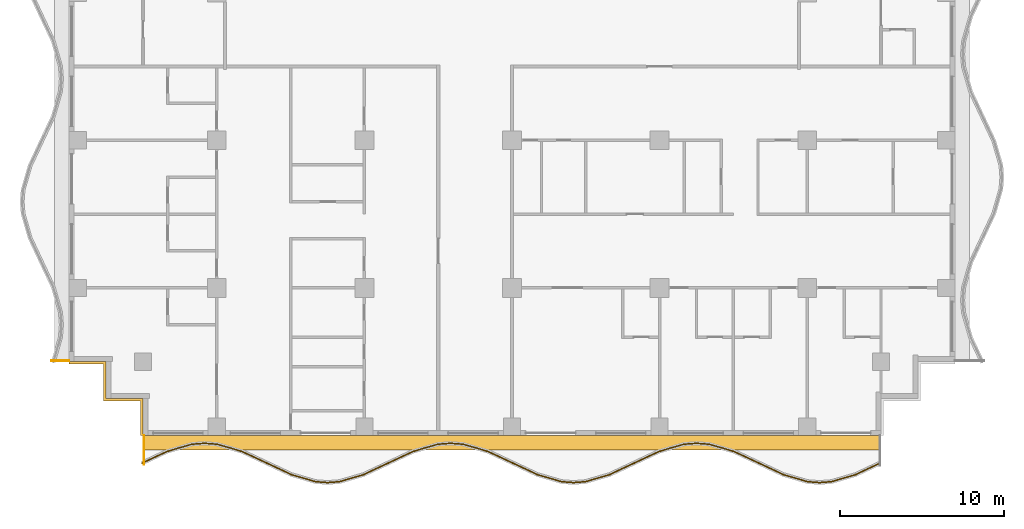
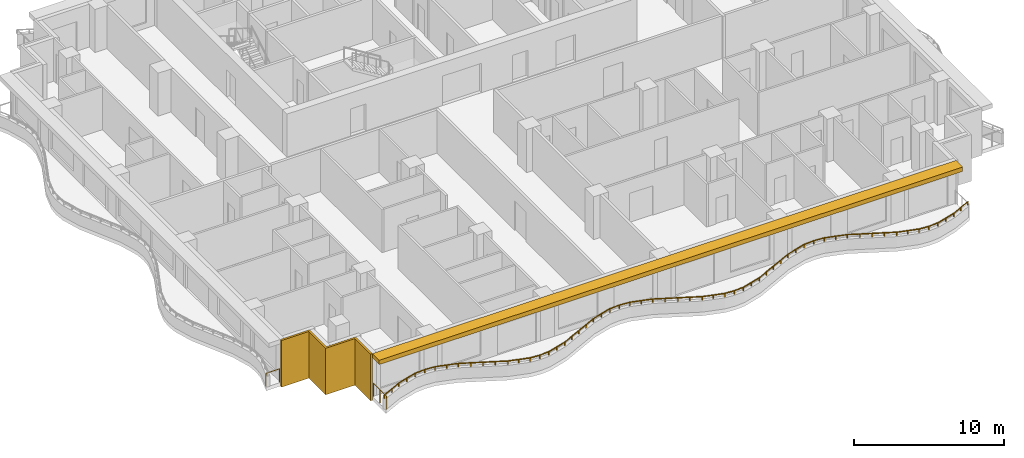
# One storey, part 8 of 11: 3 railings, 2 shading devices.
"""IFC4 building model written with IfcOpenShell, lengths in metres."""

from ifc_helpers import new_model, si_unit, direction, frame, origin, origin_2d, place, context, subcontext, project, spatial, polyline, rectangle, outline, extrude, material, layer, layer_set, type_object, element, save


model = new_model("IFC4")

# Units and contexts
model_context = context("Model", 3, precision=1e-05, world=origin(), true_north=direction((0.0, 1.0)))
body_context = subcontext(model_context, "Body", "Model", "MODEL_VIEW")
ifc_project = project(units=[si_unit("LENGTHUNIT", "METRE"), si_unit("AREAUNIT", "SQUARE_METRE"), si_unit("VOLUMEUNIT", "CUBIC_METRE"), si_unit("PLANEANGLEUNIT", "RADIAN"), si_unit("MASSUNIT", "GRAM", prefix="KILO")], contexts=[model_context])

# Site, building, storey
site_placement = place(None, origin())
site = spatial("IfcSite", under=ifc_project, at=site_placement, CompositionType="ELEMENT")
building_placement = place(site_placement, origin())
building = spatial("IfcBuilding", under=site, at=building_placement, Name="Orbiselva Terraces", CompositionType="ELEMENT")
storey_placement = place(building_placement, frame((0.0, 0.0, 195.8)))
storey = spatial("IfcBuildingStorey", under=building, at=storey_placement, Name="L49", CompositionType="ELEMENT", Elevation=195.8)

# Railings
ifc_material_1 = material(Name="Bonded two-ply safety glass balustrade, stainless steel posts", Category="steel")
railing_type_1 = type_object("IfcRailingType", Name="ENV-BALUSTRADE-1200", PredefinedType="BALUSTRADE", material=ifc_material_1)
railing_1_placement = place(storey_placement, frame((-22.553191, -24.186882, 0.9)))
element("IfcRailing", 1, at=railing_1_placement, inside=storey, type_object=railing_type_1, Name="Balcony balustrade L49 S", PredefinedType="BALUSTRADE", context=body_context, shape_type="SweptSolid", body=[
    extrude(outline(polyline([(0.028868, 0.0), (0.014434, 0.025), (-0.014434, 0.025), (-0.028868, 0.0), (-0.014434, -0.025), (0.014434, -0.025), (0.028868, 0.0)])), frame((0.0, 0.0, 0.275), z_axis=(0.904944157382, 0.425530342069, 0.0), x_axis=(-0.425530342069, 0.904944157382, 0.0)), (0.0, 0.0, 1.0), 1.667376),
    extrude(outline(polyline([(0.028868, 0.0), (0.014434, 0.025), (-0.014434, 0.025), (-0.028868, 0.0), (-0.014434, -0.025), (0.014434, -0.025), (0.028868, 0.0)])), frame((1.508882, 0.709519, 0.275), z_axis=(0.960270491427, 0.279070928786, 0.0), x_axis=(-0.279070928786, 0.960270491427, 0.0)), (0.0, 0.0, 1.0), 1.584712),
    extrude(outline(polyline([(0.028868, 0.0), (0.014434, 0.025), (-0.014434, 0.025), (-0.028868, 0.0), (-0.014434, -0.025), (0.014434, -0.025), (0.028868, 0.0)])), frame((3.030634, 1.151766, 0.275), z_axis=(0.996947796737, 0.078071061106, 0.0), x_axis=(-0.078071061106, 0.996947796737, 0.0)), (0.0, 0.0, 1.0), 0.774922),
    extrude(outline(polyline([(0.028868, 0.0), (0.014434, 0.025), (-0.014434, 0.025), (-0.028868, 0.0), (-0.014434, -0.025), (0.014434, -0.025), (0.028868, 0.0)])), frame((3.803191, 1.212265, 0.275), z_axis=(0.996947796737, -0.078071061106, 0.0), x_axis=(0.078071061106, 0.996947796737, 0.0)), (0.0, 0.0, 1.0), 0.774922),
    extrude(outline(polyline([(0.028868, 0.0), (0.014434, 0.025), (-0.014434, 0.025), (-0.028868, 0.0), (-0.014434, -0.025), (0.014434, -0.025), (0.028868, 0.0)])), frame((4.575748, 1.151766, 0.275), z_axis=(0.960270491427, -0.279070928786, 0.0), x_axis=(0.279070928786, 0.960270491427, 0.0)), (0.0, 0.0, 1.0), 1.584712),
    extrude(outline(polyline([(0.028868, 0.0), (0.014434, 0.025), (-0.014434, 0.025), (-0.028868, 0.0), (-0.014434, -0.025), (0.014434, -0.025), (0.028868, 0.0)])), frame((6.0975, 0.709519, 0.275), z_axis=(0.904944157382, -0.425530342069, 0.0), x_axis=(0.425530342069, 0.904944157382, 0.0)), (0.0, 0.0, 1.0), 1.667376),
    extrude(outline(polyline([(0.028868, 0.0), (0.014434, 0.025), (-0.014434, 0.025), (-0.028868, 0.0), (-0.014434, -0.025), (0.014434, -0.025), (0.028868, 0.0)])), frame((7.606382, 0.0, 0.275), z_axis=(0.904944359461, -0.425529912322, 0.0), x_axis=(0.425529912322, 0.904944359461, 0.0)), (0.0, 0.0, 1.0), 1.647746),
    extrude(outline(polyline([(0.028868, 0.0), (0.014434, 0.025), (-0.014434, 0.025), (-0.028868, 0.0), (-0.014434, -0.025), (0.014434, -0.025), (0.028868, 0.0)])), frame((9.0975, -0.701165, 0.275), z_axis=(0.960270317007, -0.279071528957, 0.0), x_axis=(0.279071528957, 0.960270317007, 0.0)), (0.0, 0.0, 1.0), 1.539408),
    extrude(outline(polyline([(0.028868, 0.0), (0.014434, 0.025), (-0.014434, 0.025), (-0.028868, 0.0), (-0.014434, -0.025), (0.014434, -0.025), (0.028868, 0.0)])), frame((10.575748, -1.13077, 0.275), z_axis=(0.996947916106, -0.078069536776, 0.0), x_axis=(0.078069536776, 0.996947916106, 0.0)), (0.0, 0.0, 1.0), 0.72967),
    extrude(outline(polyline([(0.028868, 0.0), (0.014434, 0.025), (-0.014434, 0.025), (-0.028868, 0.0), (-0.014434, -0.025), (0.014434, -0.025), (0.028868, 0.0)])), frame((11.303191, -1.187735, 0.275), z_axis=(0.996947916106, 0.078069536776, 0.0), x_axis=(-0.078069536776, 0.996947916106, 0.0)), (0.0, 0.0, 1.0), 0.72967),
    extrude(outline(polyline([(0.028868, 0.0), (0.014434, 0.025), (-0.014434, 0.025), (-0.028868, 0.0), (-0.014434, -0.025), (0.014434, -0.025), (0.028868, 0.0)])), frame((12.030634, -1.13077, 0.275), z_axis=(0.960270317007, 0.279071528957, 0.0), x_axis=(-0.279071528957, 0.960270317007, 0.0)), (0.0, 0.0, 1.0), 1.539408),
    extrude(outline(polyline([(0.028868, 0.0), (0.014434, 0.025), (-0.014434, 0.025), (-0.028868, 0.0), (-0.014434, -0.025), (0.014434, -0.025), (0.028868, 0.0)])), frame((13.508882, -0.701165, 0.275), z_axis=(0.904944359461, 0.425529912322, 0.0), x_axis=(-0.425529912322, 0.904944359461, 0.0)), (0.0, 0.0, 1.0), 1.647746),
    extrude(outline(polyline([(0.028868, 0.0), (0.014434, 0.025), (-0.014434, 0.025), (-0.028868, 0.0), (-0.014434, -0.025), (0.014434, -0.025), (0.028868, 0.0)])), frame((15.0, 0.0, 0.275), z_axis=(0.904944157382, 0.425530342069, 0.0), x_axis=(-0.425530342069, 0.904944157382, 0.0)), (0.0, 0.0, 1.0), 1.667376),
    extrude(outline(polyline([(0.028868, 0.0), (0.014434, 0.025), (-0.014434, 0.025), (-0.028868, 0.0), (-0.014434, -0.025), (0.014434, -0.025), (0.028868, 0.0)])), frame((16.508882, 0.709519, 0.275), z_axis=(0.960270491427, 0.279070928786, 0.0), x_axis=(-0.279070928786, 0.960270491427, 0.0)), (0.0, 0.0, 1.0), 1.584712),
    extrude(outline(polyline([(0.028868, 0.0), (0.014434, 0.025), (-0.014434, 0.025), (-0.028868, 0.0), (-0.014434, -0.025), (0.014434, -0.025), (0.028868, 0.0)])), frame((18.030634, 1.151766, 0.275), z_axis=(0.996947796737, 0.078071061106, 0.0), x_axis=(-0.078071061106, 0.996947796737, 0.0)), (0.0, 0.0, 1.0), 0.774922),
    extrude(outline(polyline([(0.028868, 0.0), (0.014434, 0.025), (-0.014434, 0.025), (-0.028868, 0.0), (-0.014434, -0.025), (0.014434, -0.025), (0.028868, 0.0)])), frame((18.803191, 1.212265, 0.275), z_axis=(0.996947796737, -0.078071061106, 0.0), x_axis=(0.078071061106, 0.996947796737, 0.0)), (0.0, 0.0, 1.0), 0.774922),
    extrude(outline(polyline([(0.028868, 0.0), (0.014434, 0.025), (-0.014434, 0.025), (-0.028868, 0.0), (-0.014434, -0.025), (0.014434, -0.025), (0.028868, 0.0)])), frame((19.575748, 1.151766, 0.275), z_axis=(0.960270491427, -0.279070928786, 0.0), x_axis=(0.279070928786, 0.960270491427, 0.0)), (0.0, 0.0, 1.0), 1.584712),
    extrude(outline(polyline([(0.028868, 0.0), (0.014434, 0.025), (-0.014434, 0.025), (-0.028868, 0.0), (-0.014434, -0.025), (0.014434, -0.025), (0.028868, 0.0)])), frame((21.0975, 0.709519, 0.275), z_axis=(0.904944157382, -0.425530342069, 0.0), x_axis=(0.425530342069, 0.904944157382, 0.0)), (0.0, 0.0, 1.0), 1.667376),
    extrude(outline(polyline([(0.028868, 0.0), (0.014434, 0.025), (-0.014434, 0.025), (-0.028868, 0.0), (-0.014434, -0.025), (0.014434, -0.025), (0.028868, 0.0)])), frame((22.606382, 0.0, 0.275), z_axis=(0.904944359461, -0.425529912322, 0.0), x_axis=(0.425529912322, 0.904944359461, 0.0)), (0.0, 0.0, 1.0), 1.647746),
    extrude(outline(polyline([(0.028868, 0.0), (0.014434, 0.025), (-0.014434, 0.025), (-0.028868, 0.0), (-0.014434, -0.025), (0.014434, -0.025), (0.028868, 0.0)])), frame((24.0975, -0.701165, 0.275), z_axis=(0.960270317007, -0.279071528957, 0.0), x_axis=(0.279071528957, 0.960270317007, 0.0)), (0.0, 0.0, 1.0), 1.539408),
    extrude(outline(polyline([(0.028868, 0.0), (0.014434, 0.025), (-0.014434, 0.025), (-0.028868, 0.0), (-0.014434, -0.025), (0.014434, -0.025), (0.028868, 0.0)])), frame((25.575748, -1.13077, 0.275), z_axis=(0.996947916106, -0.078069536776, 0.0), x_axis=(0.078069536776, 0.996947916106, 0.0)), (0.0, 0.0, 1.0), 0.72967),
    extrude(outline(polyline([(0.028868, 0.0), (0.014434, 0.025), (-0.014434, 0.025), (-0.028868, 0.0), (-0.014434, -0.025), (0.014434, -0.025), (0.028868, 0.0)])), frame((26.303191, -1.187735, 0.275), z_axis=(0.996947916106, 0.078069536776, 0.0), x_axis=(-0.078069536776, 0.996947916106, 0.0)), (0.0, 0.0, 1.0), 0.72967),
    extrude(outline(polyline([(0.028868, 0.0), (0.014434, 0.025), (-0.014434, 0.025), (-0.028868, 0.0), (-0.014434, -0.025), (0.014434, -0.025), (0.028868, 0.0)])), frame((27.030634, -1.13077, 0.275), z_axis=(0.960270317007, 0.279071528957, 0.0), x_axis=(-0.279071528957, 0.960270317007, 0.0)), (0.0, 0.0, 1.0), 1.539408),
    extrude(outline(polyline([(0.028868, 0.0), (0.014434, 0.025), (-0.014434, 0.025), (-0.028868, 0.0), (-0.014434, -0.025), (0.014434, -0.025), (0.028868, 0.0)])), frame((28.508882, -0.701165, 0.275), z_axis=(0.904944359461, 0.425529912322, 0.0), x_axis=(-0.425529912322, 0.904944359461, 0.0)), (0.0, 0.0, 1.0), 1.647746),
    extrude(outline(polyline([(0.028868, 0.0), (0.014434, 0.025), (-0.014434, 0.025), (-0.028868, 0.0), (-0.014434, -0.025), (0.014434, -0.025), (0.028868, 0.0)])), frame((30.0, 0.0, 0.275), z_axis=(0.904944157382, 0.425530342069, 0.0), x_axis=(-0.425530342069, 0.904944157382, 0.0)), (0.0, 0.0, 1.0), 1.667376),
    extrude(outline(polyline([(0.028868, 0.0), (0.014434, 0.025), (-0.014434, 0.025), (-0.028868, 0.0), (-0.014434, -0.025), (0.014434, -0.025), (0.028868, 0.0)])), frame((31.508882, 0.709519, 0.275), z_axis=(0.960270491427, 0.279070928786, 0.0), x_axis=(-0.279070928786, 0.960270491427, 0.0)), (0.0, 0.0, 1.0), 1.584712),
    extrude(outline(polyline([(0.028868, 0.0), (0.014434, 0.025), (-0.014434, 0.025), (-0.028868, 0.0), (-0.014434, -0.025), (0.014434, -0.025), (0.028868, 0.0)])), frame((33.030634, 1.151766, 0.275), z_axis=(0.996947796737, 0.078071061106, 0.0), x_axis=(-0.078071061106, 0.996947796737, 0.0)), (0.0, 0.0, 1.0), 0.774922),
    extrude(outline(polyline([(0.028868, 0.0), (0.014434, 0.025), (-0.014434, 0.025), (-0.028868, 0.0), (-0.014434, -0.025), (0.014434, -0.025), (0.028868, 0.0)])), frame((33.803191, 1.212265, 0.275), z_axis=(0.996947796737, -0.078071061106, 0.0), x_axis=(0.078071061106, 0.996947796737, 0.0)), (0.0, 0.0, 1.0), 0.774922),
    extrude(outline(polyline([(0.028868, 0.0), (0.014434, 0.025), (-0.014434, 0.025), (-0.028868, 0.0), (-0.014434, -0.025), (0.014434, -0.025), (0.028868, 0.0)])), frame((34.575748, 1.151766, 0.275), z_axis=(0.960270491427, -0.279070928786, 0.0), x_axis=(0.279070928786, 0.960270491427, 0.0)), (0.0, 0.0, 1.0), 1.584712),
    extrude(outline(polyline([(0.028868, 0.0), (0.014434, 0.025), (-0.014434, 0.025), (-0.028868, 0.0), (-0.014434, -0.025), (0.014434, -0.025), (0.028868, 0.0)])), frame((36.0975, 0.709519, 0.275), z_axis=(0.904944157382, -0.425530342069, 0.0), x_axis=(0.425530342069, 0.904944157382, 0.0)), (0.0, 0.0, 1.0), 1.667376),
    extrude(outline(polyline([(0.028868, 0.0), (0.014434, 0.025), (-0.014434, 0.025), (-0.028868, 0.0), (-0.014434, -0.025), (0.014434, -0.025), (0.028868, 0.0)])), frame((37.606382, 0.0, 0.275), z_axis=(0.904944359461, -0.425529912322, 0.0), x_axis=(0.425529912322, 0.904944359461, 0.0)), (0.0, 0.0, 1.0), 1.647746),
    extrude(outline(polyline([(0.028868, 0.0), (0.014434, 0.025), (-0.014434, 0.025), (-0.028868, 0.0), (-0.014434, -0.025), (0.014434, -0.025), (0.028868, 0.0)])), frame((39.0975, -0.701165, 0.275), z_axis=(0.960270317007, -0.279071528957, 0.0), x_axis=(0.279071528957, 0.960270317007, 0.0)), (0.0, 0.0, 1.0), 1.539408),
    extrude(outline(polyline([(0.028868, 0.0), (0.014434, 0.025), (-0.014434, 0.025), (-0.028868, 0.0), (-0.014434, -0.025), (0.014434, -0.025), (0.028868, 0.0)])), frame((40.575748, -1.13077, 0.275), z_axis=(0.996947916106, -0.078069536776, 0.0), x_axis=(0.078069536776, 0.996947916106, 0.0)), (0.0, 0.0, 1.0), 0.72967),
    extrude(outline(polyline([(0.028868, 0.0), (0.014434, 0.025), (-0.014434, 0.025), (-0.028868, 0.0), (-0.014434, -0.025), (0.014434, -0.025), (0.028868, 0.0)])), frame((41.303191, -1.187735, 0.275), z_axis=(0.996947916106, 0.078069536776, 0.0), x_axis=(-0.078069536776, 0.996947916106, 0.0)), (0.0, 0.0, 1.0), 0.72967),
    extrude(outline(polyline([(0.028868, 0.0), (0.014434, 0.025), (-0.014434, 0.025), (-0.028868, 0.0), (-0.014434, -0.025), (0.014434, -0.025), (0.028868, 0.0)])), frame((42.030634, -1.13077, 0.275), z_axis=(0.960270317007, 0.279071528957, 0.0), x_axis=(-0.279071528957, 0.960270317007, 0.0)), (0.0, 0.0, 1.0), 1.539408),
    extrude(outline(polyline([(0.028868, 0.0), (0.014434, 0.025), (-0.014434, 0.025), (-0.028868, 0.0), (-0.014434, -0.025), (0.014434, -0.025), (0.028868, 0.0)])), frame((43.508882, -0.701165, 0.275), z_axis=(0.904944359461, 0.425529912322, 0.0), x_axis=(-0.425529912322, 0.904944359461, 0.0)), (0.0, 0.0, 1.0), 1.647746),
    extrude(rectangle(XDim=0.05, YDim=0.05, at=origin_2d()), origin(), (0.0, 0.0, 1.0), 0.25),
    extrude(rectangle(XDim=0.05, YDim=0.05, at=origin_2d()), frame((0.754441, 0.35476, 0.0)), (0.0, 0.0, 1.0), 0.25),
    extrude(rectangle(XDim=0.05, YDim=0.05, at=origin_2d()), frame((1.508882, 0.709519, 0.0)), (0.0, 0.0, 1.0), 0.25),
    extrude(rectangle(XDim=0.05, YDim=0.05, at=origin_2d()), frame((2.269758, 0.930643, 0.0)), (0.0, 0.0, 1.0), 0.25),
    extrude(rectangle(XDim=0.05, YDim=0.05, at=origin_2d()), frame((3.030634, 1.151766, 0.0)), (0.0, 0.0, 1.0), 0.25),
    extrude(rectangle(XDim=0.05, YDim=0.05, at=origin_2d()), frame((3.803191, 1.212265, 0.0)), (0.0, 0.0, 1.0), 0.25),
    extrude(rectangle(XDim=0.05, YDim=0.05, at=origin_2d()), frame((4.575748, 1.151766, 0.0)), (0.0, 0.0, 1.0), 0.25),
    extrude(rectangle(XDim=0.05, YDim=0.05, at=origin_2d()), frame((5.336624, 0.930643, 0.0)), (0.0, 0.0, 1.0), 0.25),
    extrude(rectangle(XDim=0.05, YDim=0.05, at=origin_2d()), frame((6.0975, 0.709519, 0.0)), (0.0, 0.0, 1.0), 0.25),
    extrude(rectangle(XDim=0.05, YDim=0.05, at=origin_2d()), frame((6.851941, 0.35476, 0.0)), (0.0, 0.0, 1.0), 0.25),
    extrude(rectangle(XDim=0.05, YDim=0.05, at=origin_2d()), frame((7.606382, 0.0, 0.0)), (0.0, 0.0, 1.0), 0.25),
    extrude(rectangle(XDim=0.05, YDim=0.05, at=origin_2d()), frame((8.351941, -0.350582, 0.0)), (0.0, 0.0, 1.0), 0.25),
    extrude(rectangle(XDim=0.05, YDim=0.05, at=origin_2d()), frame((9.0975, -0.701165, 0.0)), (0.0, 0.0, 1.0), 0.25),
    extrude(rectangle(XDim=0.05, YDim=0.05, at=origin_2d()), frame((9.836624, -0.915967, 0.0)), (0.0, 0.0, 1.0), 0.25),
    extrude(rectangle(XDim=0.05, YDim=0.05, at=origin_2d()), frame((10.575748, -1.13077, 0.0)), (0.0, 0.0, 1.0), 0.25),
    extrude(rectangle(XDim=0.05, YDim=0.05, at=origin_2d()), frame((11.303191, -1.187735, 0.0)), (0.0, 0.0, 1.0), 0.25),
    extrude(rectangle(XDim=0.05, YDim=0.05, at=origin_2d()), frame((12.030634, -1.13077, 0.0)), (0.0, 0.0, 1.0), 0.25),
    extrude(rectangle(XDim=0.05, YDim=0.05, at=origin_2d()), frame((12.769758, -0.915967, 0.0)), (0.0, 0.0, 1.0), 0.25),
    extrude(rectangle(XDim=0.05, YDim=0.05, at=origin_2d()), frame((13.508882, -0.701165, 0.0)), (0.0, 0.0, 1.0), 0.25),
    extrude(rectangle(XDim=0.05, YDim=0.05, at=origin_2d()), frame((14.254441, -0.350582, 0.0)), (0.0, 0.0, 1.0), 0.25),
    extrude(rectangle(XDim=0.05, YDim=0.05, at=origin_2d()), frame((15.0, 0.0, 0.0)), (0.0, 0.0, 1.0), 0.25),
    extrude(rectangle(XDim=0.05, YDim=0.05, at=origin_2d()), frame((15.754441, 0.35476, 0.0)), (0.0, 0.0, 1.0), 0.25),
    extrude(rectangle(XDim=0.05, YDim=0.05, at=origin_2d()), frame((16.508882, 0.709519, 0.0)), (0.0, 0.0, 1.0), 0.25),
    extrude(rectangle(XDim=0.05, YDim=0.05, at=origin_2d()), frame((17.269758, 0.930643, 0.0)), (0.0, 0.0, 1.0), 0.25),
    extrude(rectangle(XDim=0.05, YDim=0.05, at=origin_2d()), frame((18.030634, 1.151766, 0.0)), (0.0, 0.0, 1.0), 0.25),
    extrude(rectangle(XDim=0.05, YDim=0.05, at=origin_2d()), frame((18.803191, 1.212265, 0.0)), (0.0, 0.0, 1.0), 0.25),
    extrude(rectangle(XDim=0.05, YDim=0.05, at=origin_2d()), frame((19.575748, 1.151766, 0.0)), (0.0, 0.0, 1.0), 0.25),
    extrude(rectangle(XDim=0.05, YDim=0.05, at=origin_2d()), frame((20.336624, 0.930643, 0.0)), (0.0, 0.0, 1.0), 0.25),
    extrude(rectangle(XDim=0.05, YDim=0.05, at=origin_2d()), frame((21.0975, 0.709519, 0.0)), (0.0, 0.0, 1.0), 0.25),
    extrude(rectangle(XDim=0.05, YDim=0.05, at=origin_2d()), frame((21.851941, 0.35476, 0.0)), (0.0, 0.0, 1.0), 0.25),
    extrude(rectangle(XDim=0.05, YDim=0.05, at=origin_2d()), frame((22.606382, 0.0, 0.0)), (0.0, 0.0, 1.0), 0.25),
    extrude(rectangle(XDim=0.05, YDim=0.05, at=origin_2d()), frame((23.351941, -0.350582, 0.0)), (0.0, 0.0, 1.0), 0.25),
    extrude(rectangle(XDim=0.05, YDim=0.05, at=origin_2d()), frame((24.0975, -0.701165, 0.0)), (0.0, 0.0, 1.0), 0.25),
    extrude(rectangle(XDim=0.05, YDim=0.05, at=origin_2d()), frame((24.836624, -0.915967, 0.0)), (0.0, 0.0, 1.0), 0.25),
    extrude(rectangle(XDim=0.05, YDim=0.05, at=origin_2d()), frame((25.575748, -1.13077, 0.0)), (0.0, 0.0, 1.0), 0.25),
    extrude(rectangle(XDim=0.05, YDim=0.05, at=origin_2d()), frame((26.303191, -1.187735, 0.0)), (0.0, 0.0, 1.0), 0.25),
    extrude(rectangle(XDim=0.05, YDim=0.05, at=origin_2d()), frame((27.030634, -1.13077, 0.0)), (0.0, 0.0, 1.0), 0.25),
    extrude(rectangle(XDim=0.05, YDim=0.05, at=origin_2d()), frame((27.769758, -0.915967, 0.0)), (0.0, 0.0, 1.0), 0.25),
    extrude(rectangle(XDim=0.05, YDim=0.05, at=origin_2d()), frame((28.508882, -0.701165, 0.0)), (0.0, 0.0, 1.0), 0.25),
    extrude(rectangle(XDim=0.05, YDim=0.05, at=origin_2d()), frame((29.254441, -0.350582, 0.0)), (0.0, 0.0, 1.0), 0.25),
    extrude(rectangle(XDim=0.05, YDim=0.05, at=origin_2d()), frame((30.0, 0.0, 0.0)), (0.0, 0.0, 1.0), 0.25),
    extrude(rectangle(XDim=0.05, YDim=0.05, at=origin_2d()), frame((30.754441, 0.35476, 0.0)), (0.0, 0.0, 1.0), 0.25),
    extrude(rectangle(XDim=0.05, YDim=0.05, at=origin_2d()), frame((31.508882, 0.709519, 0.0)), (0.0, 0.0, 1.0), 0.25),
    extrude(rectangle(XDim=0.05, YDim=0.05, at=origin_2d()), frame((32.269758, 0.930643, 0.0)), (0.0, 0.0, 1.0), 0.25),
    extrude(rectangle(XDim=0.05, YDim=0.05, at=origin_2d()), frame((33.030634, 1.151766, 0.0)), (0.0, 0.0, 1.0), 0.25),
    extrude(rectangle(XDim=0.05, YDim=0.05, at=origin_2d()), frame((33.803191, 1.212265, 0.0)), (0.0, 0.0, 1.0), 0.25),
    extrude(rectangle(XDim=0.05, YDim=0.05, at=origin_2d()), frame((34.575748, 1.151766, 0.0)), (0.0, 0.0, 1.0), 0.25),
    extrude(rectangle(XDim=0.05, YDim=0.05, at=origin_2d()), frame((35.336624, 0.930643, 0.0)), (0.0, 0.0, 1.0), 0.25),
    extrude(rectangle(XDim=0.05, YDim=0.05, at=origin_2d()), frame((36.0975, 0.709519, 0.0)), (0.0, 0.0, 1.0), 0.25),
    extrude(rectangle(XDim=0.05, YDim=0.05, at=origin_2d()), frame((36.851941, 0.35476, 0.0)), (0.0, 0.0, 1.0), 0.25),
    extrude(rectangle(XDim=0.05, YDim=0.05, at=origin_2d()), frame((37.606382, 0.0, 0.0)), (0.0, 0.0, 1.0), 0.25),
    extrude(rectangle(XDim=0.05, YDim=0.05, at=origin_2d()), frame((38.351941, -0.350582, 0.0)), (0.0, 0.0, 1.0), 0.25),
    extrude(rectangle(XDim=0.05, YDim=0.05, at=origin_2d()), frame((39.0975, -0.701165, 0.0)), (0.0, 0.0, 1.0), 0.25),
    extrude(rectangle(XDim=0.05, YDim=0.05, at=origin_2d()), frame((39.836624, -0.915967, 0.0)), (0.0, 0.0, 1.0), 0.25),
    extrude(rectangle(XDim=0.05, YDim=0.05, at=origin_2d()), frame((40.575748, -1.13077, 0.0)), (0.0, 0.0, 1.0), 0.25),
    extrude(rectangle(XDim=0.05, YDim=0.05, at=origin_2d()), frame((41.303191, -1.187735, 0.0)), (0.0, 0.0, 1.0), 0.25),
    extrude(rectangle(XDim=0.05, YDim=0.05, at=origin_2d()), frame((42.030634, -1.13077, 0.0)), (0.0, 0.0, 1.0), 0.25),
    extrude(rectangle(XDim=0.05, YDim=0.05, at=origin_2d()), frame((42.769758, -0.915967, 0.0)), (0.0, 0.0, 1.0), 0.25),
    extrude(rectangle(XDim=0.05, YDim=0.05, at=origin_2d()), frame((43.508882, -0.701165, 0.0)), (0.0, 0.0, 1.0), 0.25),
    extrude(rectangle(XDim=0.05, YDim=0.05, at=origin_2d()), frame((44.254441, -0.350582, 0.0)), (0.0, 0.0, 1.0), 0.25),
    extrude(rectangle(XDim=0.05, YDim=0.05, at=origin_2d()), frame((45.0, 0.0, 0.0)), (0.0, 0.0, 1.0), 0.25),
])
ifc_material_2 = material(Name="Stainless steel rail and posts", Category="steel")
railing_type_2 = type_object("IfcRailingType", Name="ENV-GUARD-1105", PredefinedType="BALUSTRADE", material=ifc_material_2)
railing_2_placement = place(storey_placement, frame((-22.44, -24.269844, 0.0)))
element("IfcRailing", 2, at=railing_2_placement, inside=storey, type_object=railing_type_2, Name="Balcony end guard L49 S", PredefinedType="BALUSTRADE", context=body_context, shape_type="SweptSolid", body=[
    extrude(outline(polyline([(0.028868, 0.0), (0.014434, 0.025), (-0.014434, 0.025), (-0.028868, 0.0), (-0.014434, -0.025), (0.014434, -0.025), (0.028868, 0.0)])), frame((0.0, 0.0, 1.08), z_axis=(0.0, 1.0, 0.0), x_axis=(-1.0, 0.0, 0.0)), (0.0, 0.0, 1.0), 1.744844),
    extrude(rectangle(XDim=0.05, YDim=0.05, at=origin_2d()), origin(), (0.0, 0.0, 1.0), 1.055),
    extrude(rectangle(XDim=0.05, YDim=0.05, at=origin_2d()), frame((0.0, 0.872422, 0.0)), (0.0, 0.0, 1.0), 1.055),
    extrude(rectangle(XDim=0.05, YDim=0.05, at=origin_2d()), frame((0.0, 1.744844, 0.0)), (0.0, 0.0, 1.0), 1.055),
])
railing_3_placement = place(storey_placement, frame((-28.070484, -17.94, 0.0)))
element("IfcRailing", 3, at=railing_3_placement, inside=storey, type_object=railing_type_2, Name="Balcony end guard L49 W", PredefinedType="BALUSTRADE", context=body_context, shape_type="SweptSolid", body=[
    extrude(outline(polyline([(0.028868, 0.0), (0.014434, 0.025), (-0.014434, 0.025), (-0.028868, 0.0), (-0.014434, -0.025), (0.014434, -0.025), (0.028868, 0.0)])), frame((0.0, 0.0, 1.08), z_axis=(1.0, 0.0, 0.0), x_axis=(0.0, 1.0, 0.0)), (0.0, 0.0, 1.0), 1.045484),
    extrude(rectangle(XDim=0.05, YDim=0.05, at=origin_2d()), origin(), (0.0, 0.0, 1.0), 1.055),
    extrude(rectangle(XDim=0.05, YDim=0.05, at=origin_2d()), frame((1.045484, 0.0, 0.0)), (0.0, 0.0, 1.0), 1.055),
])

# Shading devices
ifc_material_3 = material(Name="Terracotta louvre screen", Category="masonry")
ifc_layer_1 = layer(ifc_material_3, 0.15)
ifc_layer_set_1 = layer_set([ifc_layer_1], Name="Terracotta louvre screen")
shading_device_type_1 = type_object("IfcShadingDeviceType", Name="ENV-SCREEN-150", PredefinedType="USERDEFINED", material=ifc_layer_set_1)
shading_device_1_placement = place(storey_placement, frame((0.0, 0.0, -0.3)))
element("IfcShadingDevice", 4, at=shading_device_1_placement, inside=storey, type_object=shading_device_type_1, Name="Louvre screen L49 SW", ObjectType="SCREEN", PredefinedType="USERDEFINED", context=body_context, shape_type="SweptSolid", body=[
    extrude(outline(polyline([(-27.0, -18.15), (-24.9, -18.15), (-24.9, -20.4), (-22.65, -20.4), (-22.65, -22.5), (-22.5, -22.5), (-22.5, -20.25), (-24.75, -20.25), (-24.75, -18.0), (-27.0, -18.0), (-27.0, -18.15)])), origin(), (0.0, 0.0, 1.0), 3.8),
])
ifc_material_4 = material(Name="Terracotta baguette sunshade", Category="masonry")
ifc_layer_2 = layer(ifc_material_4, 0.35)
ifc_layer_set_2 = layer_set([ifc_layer_2], Name="Terracotta baguette sunshade")
shading_device_type_2 = type_object("IfcShadingDeviceType", Name="ENV-SUNSHADE-900x350", PredefinedType="USERDEFINED", material=ifc_layer_set_2)
shading_device_2_placement = place(storey_placement, frame((0.0, 0.0, 3.15)))
element("IfcShadingDevice", 5, at=shading_device_2_placement, inside=storey, type_object=shading_device_type_2, Name="Sunshade band L49 S", ObjectType="SUNSHADE", PredefinedType="USERDEFINED", context=body_context, shape_type="SweptSolid", body=[
    extrude(outline(polyline([(-22.5, -23.4), (22.5, -23.4), (22.5, -22.5), (-22.5, -22.5), (-22.5, -23.4)])), origin(), (0.0, 0.0, 1.0), 0.35),
])

save(model, "model.ifc")
